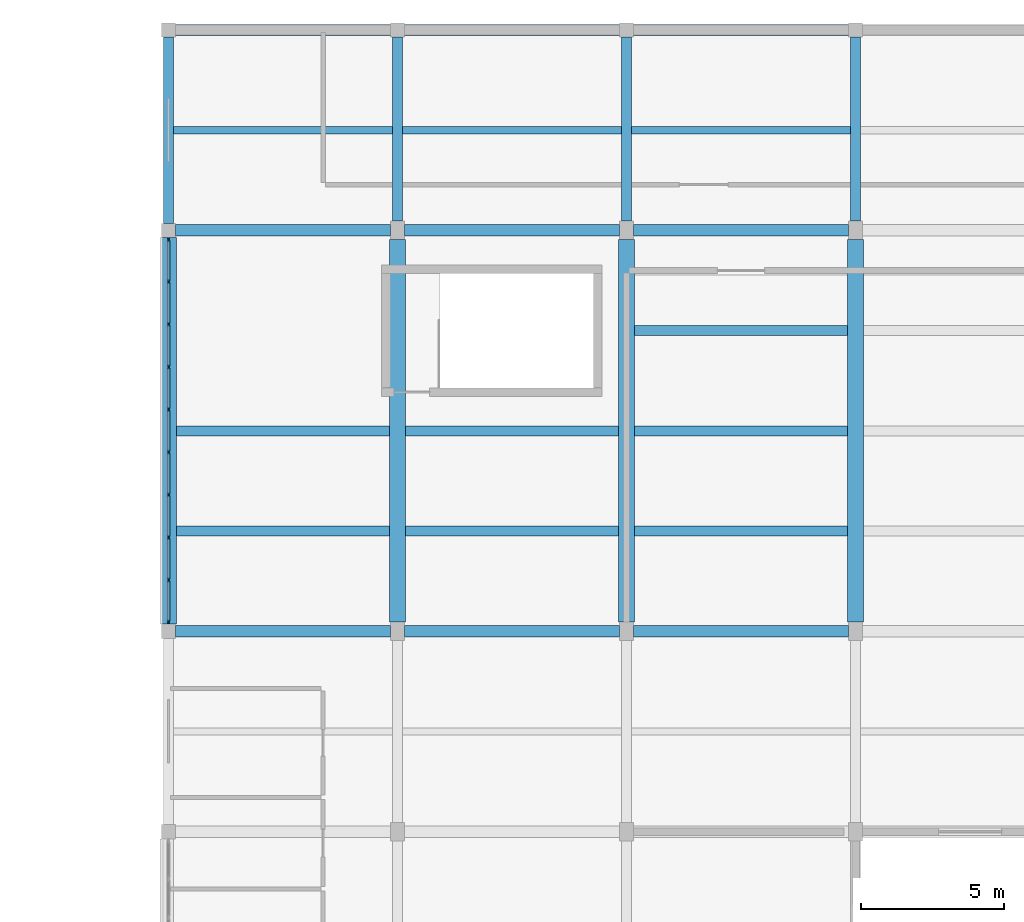
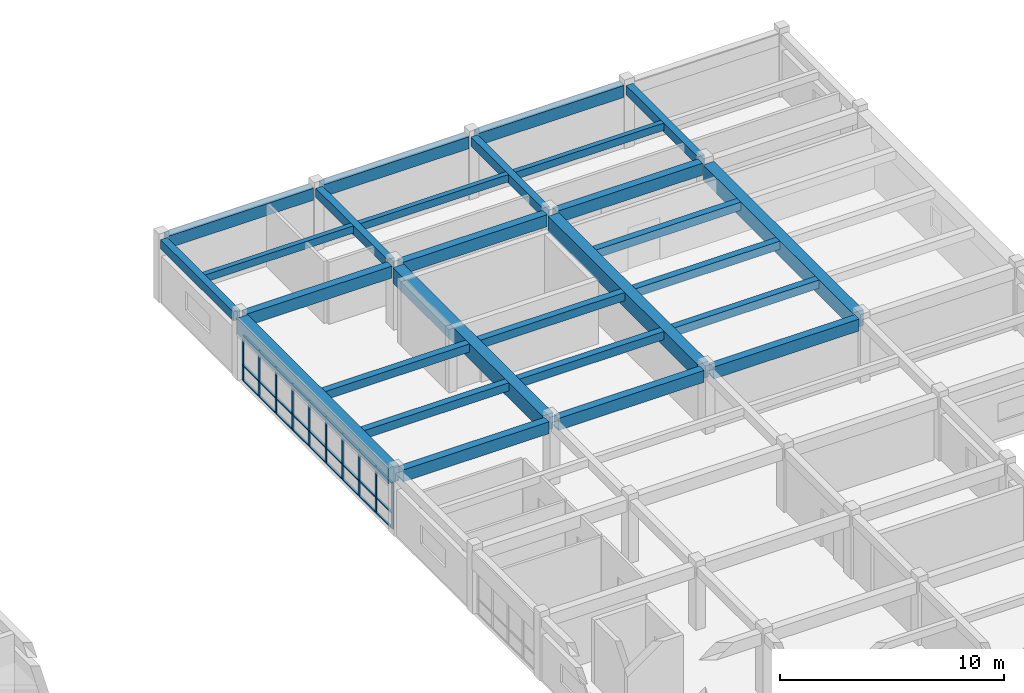
# One storey, part 7 of 17: 37 members, 27 beams, 1 element without a shape of its own.
"""IFC4 building model written with IfcOpenShell, lengths in metres."""

import ifcopenshell
import ifcopenshell.guid

model = None  # the IFC model being written
_history = None  # IfcOwnerHistory: only IFC2X3 demands one
_inside = {}  # id of a spatial element -> (the spatial element, [elements in it])
_under = {}  # id of a project, library or spatial element -> (it, [spatial elements below it])
_declared = {}  # id of a project -> (the project, [libraries it declares])
_typed = {}  # id of a type object -> (the type object, [elements of that type])
_made_of = {}  # id of a material, layer set ... -> (it, [elements and type objects made of it])


def new_model(schema):
    """Start an empty IFC model of exactly this schema.

    Asked for "IFC4X3", IfcOpenShell would pick the latest addendum, in which some entities
    have other attributes; the version numbers below select the first issue.
    IFC2X3 requires an IfcOwnerHistory on every rooted entity: one is made here for all.
    """
    global model, _history
    if schema == "IFC4X3":
        model = ifcopenshell.file(schema_version=(4, 3, 0, 0))
    else:
        model = ifcopenshell.file(schema=schema)
    _inside.clear()
    _under.clear()
    _declared.clear()
    _typed.clear()
    _made_of.clear()
    _history = None
    if model.schema == "IFC2X3":
        org = make("IfcOrganization", Name="unknown")
        user = make(
            "IfcPersonAndOrganization",
            ThePerson=make("IfcPerson", FamilyName="unknown"),
            TheOrganization=org,
        )
        app = make(
            "IfcApplication",
            ApplicationDeveloper=org,
            Version="unknown",
            ApplicationFullName="unknown",
            ApplicationIdentifier="unknown",
        )
        _history = make(
            "IfcOwnerHistory",
            OwningUser=user,
            OwningApplication=app,
            ChangeAction="ADDED",
            CreationDate=0,
        )
    return model


def make(cls, **values):
    """One entity of the class cls with the attributes given. An attribute that is None is left unset."""
    return model.create_entity(
        cls, **{name: value for name, value in values.items() if value is not None}
    )


def rooted(cls, **values):
    """An entity with a GlobalId (a new one), such as an element, a storey or a relation."""
    return make(cls, GlobalId=ifcopenshell.guid.new(), OwnerHistory=_history, **values)


def si_unit(unit_type, name, prefix=None):
    """IfcSIUnit, for example si_unit("LENGTHUNIT", "METRE", prefix="MILLI")."""
    return make("IfcSIUnit", UnitType=unit_type, Prefix=prefix, Name=name)


def assignment(units):
    """IfcUnitAssignment: the units of a project."""
    return None if units is None else make("IfcUnitAssignment", Units=units)


def point(xyz):
    """IfcCartesianPoint."""
    return None if xyz is None else make("IfcCartesianPoint", Coordinates=xyz)


def direction(xyz):
    """IfcDirection."""
    return None if xyz is None else make("IfcDirection", DirectionRatios=xyz)


def frame(location, z_axis=None, x_axis=None):
    """IfcAxis2Placement3D, a coordinate frame: its origin and axes. An axis left out is left unset."""
    return make(
        "IfcAxis2Placement3D",
        Location=point(location),
        Axis=direction(z_axis),
        RefDirection=direction(x_axis),
    )


def frame_2d(location, x_axis=None):
    """IfcAxis2Placement2D, a coordinate frame in the plane: its origin and x axis."""
    return make(
        "IfcAxis2Placement2D", Location=point(location), RefDirection=direction(x_axis)
    )


def origin():
    """The frame at (0, 0, 0) with its axes left unset."""
    return frame((0.0, 0.0, 0.0))


def origin_2d():
    """The frame at (0, 0) in the plane with its x axis left unset."""
    return frame_2d((0.0, 0.0))


def place(relative_to, where):
    """IfcLocalPlacement: puts the frame where relative to a parent placement (None: the world)."""
    return make(
        "IfcLocalPlacement", PlacementRelTo=relative_to, RelativePlacement=where
    )


def context(
    kind, dimensions, precision=None, world=None, true_north=None, identifier=None
):
    """IfcGeometricRepresentationContext, for example the 3D "Model" context."""
    return make(
        "IfcGeometricRepresentationContext",
        ContextIdentifier=identifier,
        ContextType=kind,
        CoordinateSpaceDimension=dimensions,
        Precision=precision,
        WorldCoordinateSystem=world,
        TrueNorth=true_north,
    )


def subcontext(parent, identifier, kind, view, scale=None):
    """IfcGeometricRepresentationSubContext, for example "Body" below "Model"."""
    return make(
        "IfcGeometricRepresentationSubContext",
        ContextIdentifier=identifier,
        ContextType=kind,
        ParentContext=parent,
        TargetScale=scale,
        TargetView=view,
    )


def project(units=None, contexts=None):
    """IfcProject with its units and contexts."""
    return rooted(
        "IfcProject",
        Name="project",
        RepresentationContexts=contexts,
        UnitsInContext=assignment(units),
    )


def spatial(cls, under=None, at=None, **own):
    """A site, building, storey or space (cls), placed at a placement, below another one or the project."""
    s = rooted(cls, ObjectPlacement=at, **own)
    if under is not None:
        _under.setdefault(under.id(), (under, []))[1].append(s)
    return s


def profile(cls, at=None, kind="AREA", **sizes):
    """A parametric profile (cls). Its sizes go by their IFC names, for example OverallWidth=200.0."""
    return make(cls, ProfileType=kind, Position=at, **sizes)


def rectangle(**sizes):
    """IfcRectangleProfileDef."""
    return profile("IfcRectangleProfileDef", **sizes)


def extrude(swept, where, along, depth):
    """IfcExtrudedAreaSolid: the profile swept, set in the frame where, extruded along a direction by depth."""
    return make(
        "IfcExtrudedAreaSolid",
        SweptArea=swept,
        Position=where,
        ExtrudedDirection=direction(along),
        Depth=depth,
    )


def shape(context_of_items, identifier, shape_type, items):
    """IfcShapeRepresentation: the items that make up one representation, for example the "Body"."""
    return make(
        "IfcShapeRepresentation",
        ContextOfItems=context_of_items,
        RepresentationIdentifier=identifier,
        RepresentationType=shape_type,
        Items=items,
    )


def material(Name=None, Category=None):
    """IfcMaterial."""
    return make("IfcMaterial", Name=Name, Category=Category)


def layer(
    of_material, thickness, ventilated=None, Name=None, Category=None, Priority=None
):
    """IfcMaterialLayer: one layer of a wall or slab, of a material (None: an air gap)."""
    return make(
        "IfcMaterialLayer",
        Material=of_material,
        LayerThickness=thickness,
        IsVentilated=ventilated,
        Name=Name,
        Category=Category,
        Priority=Priority,
    )


def layer_set(layers, Name=None):
    """IfcMaterialLayerSet."""
    return make("IfcMaterialLayerSet", MaterialLayers=layers, LayerSetName=Name)


def material_profile(
    of_material, cross_section, Name=None, Category=None, Priority=None
):
    """IfcMaterialProfile: a cross section and its material."""
    return make(
        "IfcMaterialProfile",
        Name=Name,
        Material=of_material,
        Profile=cross_section,
        Priority=Priority,
        Category=Category,
    )


def profile_set(profiles, Name=None, composite=None):
    """IfcMaterialProfileSet."""
    return make(
        "IfcMaterialProfileSet",
        Name=Name,
        MaterialProfiles=profiles,
        CompositeProfile=composite,
    )


def made_of(thing, what):
    """Note that an element or type object is made of a material, layer set ...; save() writes the relation."""
    if what is not None:
        _made_of.setdefault(what.id(), (what, []))[1].append(thing)
    return thing


def type_object(cls, material=None, **own):
    """A type object (cls), such as IfcWallType, which elements share."""
    return made_of(rooted(cls, **own), material)


def element(
    cls,
    number,
    at=None,
    inside=None,
    cuts=None,
    type_object=None,
    material=None,
    context=None,
    identifier="Body",
    shape_type=None,
    held_by="IfcProductDefinitionShape",
    body=None,
    shapes=None,
    **own,
):
    """One element of the class cls, such as IfcWall. Its Tag is "e" and its number.

    at: its placement. inside: the storey or other place that contains it. cuts: it is an
    opening in that element (IfcRelVoidsElement). A single representation is given by context,
    identifier, shape_type and body (its items); several are given by shapes. held_by: the class
    of the entity that holds the representations. save() writes the other relations.
    """
    e = rooted(cls, Tag="e%d" % number, ObjectPlacement=at, **own)
    if body is not None:
        shapes = [shape(context, identifier, shape_type, body)]
    if shapes is not None:
        e.Representation = make(held_by, Representations=shapes)
    if inside is not None:
        _inside.setdefault(inside.id(), (inside, []))[1].append(e)
    if cuts is not None:
        rooted(
            "IfcRelVoidsElement", RelatingBuildingElement=cuts, RelatedOpeningElement=e
        )
    if type_object is not None:
        _typed.setdefault(type_object.id(), (type_object, []))[1].append(e)
    return made_of(e, material)


def aggregate(whole, parts):
    """IfcRelAggregates: a whole, such as a stair, and the parts it consists of."""
    return rooted("IfcRelAggregates", RelatingObject=whole, RelatedObjects=parts)


def save(model, path):
    """Write the relations noted so far, then the file.

    IfcRelAggregates (storeys below a building ...), IfcRelContainedInSpatialStructure (elements
    in a storey), IfcRelDefinesByType, IfcRelAssociatesMaterial and IfcRelDeclares: one each for
    every whole, place, type object, material and project.
    """
    for whole, parts in _under.values():
        aggregate(whole, parts)
    for where, things in _inside.values():
        rooted(
            "IfcRelContainedInSpatialStructure",
            RelatedElements=things,
            RelatingStructure=where,
        )
    for kind, things in _typed.values():
        rooted("IfcRelDefinesByType", RelatedObjects=things, RelatingType=kind)
    for what, things in _made_of.values():
        rooted("IfcRelAssociatesMaterial", RelatedObjects=things, RelatingMaterial=what)
    for by, libraries in _declared.values():
        rooted("IfcRelDeclares", RelatingContext=by, RelatedDefinitions=libraries)
    model.write(path)


model = new_model("IFC4")

# Units and contexts
model_context = context("Model", 3, precision=1e-05, world=origin(), true_north=direction((0.0, 1.0)))
body_context = subcontext(model_context, "Body", "Model", "MODEL_VIEW")
ifc_project = project(units=[si_unit("LENGTHUNIT", "METRE"), si_unit("AREAUNIT", "SQUARE_METRE"), si_unit("VOLUMEUNIT", "CUBIC_METRE"), si_unit("PLANEANGLEUNIT", "RADIAN"), si_unit("MASSUNIT", "GRAM", prefix="KILO")], contexts=[model_context])

# Site, building, storey
site_placement = place(None, origin())
site = spatial("IfcSite", under=ifc_project, at=site_placement, CompositionType="ELEMENT")
building_placement = place(site_placement, origin())
building = spatial("IfcBuilding", under=site, at=building_placement, Name="Naurynzar Civic Courthouse", CompositionType="ELEMENT")
storey_placement = place(building_placement, frame((0.0, 0.0, 29.550048828125)))
storey = spatial("IfcBuildingStorey", under=building, at=storey_placement, Name="L08", CompositionType="ELEMENT", Elevation=29.550048828125)

# Beams
ifc_material_1 = material(Name="Concrete C40/50", Category="concrete")
ifc_material_profile_1 = material_profile(ifc_material_1, rectangle(XDim=0.25, YDim=0.39990234375, at=origin_2d()), Name="RCB 250x400")
ifc_profile_set_1 = profile_set([ifc_material_profile_1], Name="Concrete C40/50")
beam_type_1 = type_object("IfcBeamType", Name="BM-JST-250x400", PredefinedType="JOIST", material=ifc_profile_set_1)
for number, where, z_axis, x_axis, name in (
    (1, (130.175048828125, 68.5, 3.22998046875), (1.0, 0.0, 0.0), (0.0, 1.0, 0.0), "V5 secondary rib 2985 L08"),
    (2, (138.175048828125, 68.5, 3.22998046875), (1.0, 0.0, 0.0), (0.0, 1.0, 0.0), "V5 secondary rib 2986 L08"),
    (3, (146.175048828125, 68.5, 3.22998046875), (1.0, 0.0, 0.0), (0.0, 1.0, 0.0), "V5 secondary rib 2987 L08"),
):
    element("IfcBeam", number, at=place(storey_placement, frame(where, z_axis=z_axis, x_axis=x_axis)), inside=storey, type_object=beam_type_1, Name=name, PredefinedType="JOIST", context=body_context, shape_type="SweptSolid", body=[
        extrude(rectangle(XDim=0.25, YDim=0.39990234375, at=origin_2d()), origin(), (0.0, 0.0, 1.0), 7.64990234375),
    ])
ifc_material_2 = material(Name="Concrete C40/50", Category="concrete")
ifc_material_profile_2 = material_profile(ifc_material_2, rectangle(XDim=0.550048828125, YDim=0.85009765625, at=origin_2d()), Name="PTB 550x850")
ifc_profile_set_2 = profile_set([ifc_material_profile_2], Name="Concrete C40/50")
beam_type_2 = type_object("IfcBeamType", Name="BM-PT-550x850", PredefinedType="T_BEAM", material=ifc_profile_set_2)
beam_1_placement = place(storey_placement, frame((130.0, 51.25, 3.0048828125), z_axis=(0.0, 1.0, 0.0), x_axis=(-1.0, 0.0, 0.0)))
element("IfcBeam", 4, at=beam_1_placement, inside=storey, type_object=beam_type_2, Name="V5 girder Y-2940 L08", PredefinedType="T_BEAM", context=body_context, shape_type="SweptSolid", body=[
    extrude(rectangle(XDim=0.550048828125, YDim=0.85009765625, at=origin_2d()), origin(), (0.0, 0.0, 1.0), 13.5),
])
for number, where, z_axis, x_axis, name in (
    (5, (138.0, 51.324951171875, 3.0048828125), (0.0, 1.0, 0.0), (-1.0, 0.0, 0.0), "V5 girder Y-2947 L08"),
    (6, (146.0, 51.324951171875, 3.0048828125), (0.0, 1.0, 0.0), (-1.0, 0.0, 0.0), "V5 girder Y-2954 L08"),
    (7, (154.0, 51.324951171875, 3.0048828125), (0.0, 1.0, 0.0), (-1.0, 0.0, 0.0), "V5 girder Y-2961 L08"),
):
    element("IfcBeam", number, at=place(storey_placement, frame(where, z_axis=z_axis, x_axis=x_axis)), inside=storey, type_object=beam_type_2, Name=name, PredefinedType="T_BEAM", context=body_context, shape_type="SweptSolid", body=[
        extrude(rectangle(XDim=0.550048828125, YDim=0.85009765625, at=origin_2d()), origin(), (0.0, 0.0, 1.0), 13.35009765625),
    ])
ifc_material_3 = material(Name="Concrete C40/50", Category="concrete")
ifc_material_profile_3 = material_profile(ifc_material_3, rectangle(XDim=0.35009765625, YDim=0.449951171875, at=origin_2d()), Name="RCB 350x450")
ifc_profile_set_3 = profile_set([ifc_material_profile_3], Name="Concrete C40/50")
beam_type_3 = type_object("IfcBeamType", Name="BM-RC-350x450", PredefinedType="BEAM", material=ifc_profile_set_3)
for number, where, z_axis, x_axis, name in (
    (8, (130.27490234375, 54.5, 3.204833984375), (1.0, 0.0, 0.0), (0.0, 1.0, 0.0), "V5 secondary rib 2975 L08"),
    (9, (130.27490234375, 58.0, 3.204833984375), (1.0, 0.0, 0.0), (0.0, 1.0, 0.0), "V5 secondary rib 2976 L08"),
    (10, (138.27490234375, 54.5, 3.204833984375), (1.0, 0.0, 0.0), (0.0, 1.0, 0.0), "V5 secondary rib 2977 L08"),
    (11, (138.27490234375, 58.0, 3.204833984375), (1.0, 0.0, 0.0), (0.0, 1.0, 0.0), "V5 secondary rib 2978 L08"),
    (12, (146.27490234375, 54.5, 3.204833984375), (1.0, 0.0, 0.0), (0.0, 1.0, 0.0), "V5 secondary rib 2979 L08"),
    (13, (146.27490234375, 58.0, 3.204833984375), (1.0, 0.0, 0.0), (0.0, 1.0, 0.0), "V5 secondary rib 2980 L08"),
    (14, (146.27490234375, 61.5, 3.204833984375), (1.0, 0.0, 0.0), (0.0, 1.0, 0.0), "V5 secondary rib 2981 L08"),
):
    element("IfcBeam", number, at=place(storey_placement, frame(where, z_axis=z_axis, x_axis=x_axis)), inside=storey, type_object=beam_type_3, Name=name, PredefinedType="BEAM", context=body_context, shape_type="SweptSolid", body=[
        extrude(rectangle(XDim=0.35009765625, YDim=0.449951171875, at=origin_2d()), origin(), (0.0, 0.0, 1.0), 7.4501953125),
    ])
ifc_material_4 = material(Name="Concrete C40/50", Category="concrete")
ifc_material_profile_4 = material_profile(ifc_material_4, rectangle(XDim=0.35009765625, YDim=0.5, at=origin_2d()), Name="RCB 350x500")
ifc_profile_set_4 = profile_set([ifc_material_profile_4], Name="Concrete C40/50")
beam_type_4 = type_object("IfcBeamType", Name="BM-RC-350x500", PredefinedType="BEAM", material=ifc_profile_set_4)
beam_2_placement = place(storey_placement, frame((130.0, 65.25, 3.179931640625), z_axis=(0.0, 1.0, 0.0), x_axis=(-1.0, 0.0, 0.0)))
element("IfcBeam", 15, at=beam_2_placement, inside=storey, type_object=beam_type_4, Name="V5 girder Y-2941 L08", PredefinedType="BEAM", context=body_context, shape_type="SweptSolid", body=[
    extrude(rectangle(XDim=0.35009765625, YDim=0.5, at=origin_2d()), origin(), (0.0, 0.0, 1.0), 6.5),
])
for number, where, z_axis, x_axis, name in (
    (16, (138.0, 65.324951171875, 3.179931640625), (0.0, 1.0, 0.0), (-1.0, 0.0, 0.0), "V5 girder Y-2948 L08"),
    (17, (146.0, 65.324951171875, 3.179931640625), (0.0, 1.0, 0.0), (-1.0, 0.0, 0.0), "V5 girder Y-2955 L08"),
    (18, (154.0, 65.324951171875, 3.179931640625), (0.0, 1.0, 0.0), (-1.0, 0.0, 0.0), "V5 girder Y-2962 L08"),
):
    element("IfcBeam", number, at=place(storey_placement, frame(where, z_axis=z_axis, x_axis=x_axis)), inside=storey, type_object=beam_type_4, Name=name, PredefinedType="BEAM", context=body_context, shape_type="SweptSolid", body=[
        extrude(rectangle(XDim=0.35009765625, YDim=0.5, at=origin_2d()), origin(), (0.0, 0.0, 1.0), 6.425048828125),
    ])
ifc_material_5 = material(Name="Concrete C40/50", Category="concrete")
ifc_material_profile_5 = material_profile(ifc_material_5, rectangle(XDim=0.39990234375, YDim=0.64990234375, at=origin_2d()), Name="RCB 400x650")
ifc_profile_set_5 = profile_set([ifc_material_profile_5], Name="Concrete C40/50")
beam_type_5 = type_object("IfcBeamType", Name="BM-RC-400x650", PredefinedType="BEAM", material=ifc_profile_set_5)
for number, where, z_axis, x_axis, name in (
    (19, (130.25, 51.0, 3.10498046875), (1.0, 0.0, 0.0), (0.0, 1.0, 0.0), "V5 beam X-2923 L08"),
    (20, (138.25, 51.0, 3.10498046875), (1.0, 0.0, 0.0), (0.0, 1.0, 0.0), "V5 beam X-2924 L08"),
    (21, (146.25, 51.0, 3.10498046875), (1.0, 0.0, 0.0), (0.0, 1.0, 0.0), "V5 beam X-2925 L08"),
    (22, (130.25, 65.0, 3.10498046875), (1.0, 0.0, 0.0), (0.0, 1.0, 0.0), "V5 beam X-2927 L08"),
    (23, (138.25, 65.0, 3.10498046875), (1.0, 0.0, 0.0), (0.0, 1.0, 0.0), "V5 beam X-2928 L08"),
    (24, (146.25, 65.0, 3.10498046875), (1.0, 0.0, 0.0), (0.0, 1.0, 0.0), "V5 beam X-2929 L08"),
    (25, (130.25, 72.0, 3.10498046875), (1.0, 0.0, 0.0), (0.0, 1.0, 0.0), "V5 beam X-2931 L08"),
    (26, (138.25, 72.0, 3.10498046875), (1.0, 0.0, 0.0), (0.0, 1.0, 0.0), "V5 beam X-2932 L08"),
    (27, (146.25, 72.0, 3.10498046875), (1.0, 0.0, 0.0), (0.0, 1.0, 0.0), "V5 beam X-2933 L08"),
):
    element("IfcBeam", number, at=place(storey_placement, frame(where, z_axis=z_axis, x_axis=x_axis)), inside=storey, type_object=beam_type_5, Name=name, PredefinedType="BEAM", context=body_context, shape_type="SweptSolid", body=[
        extrude(rectangle(XDim=0.39990234375, YDim=0.64990234375, at=origin_2d()), origin(), (0.0, 0.0, 1.0), 7.5),
    ])

# Curtain wall, members
ifc_material_6 = material(Name="Aluminium 6063-T6", Category="aluminium")
ifc_layer = layer(ifc_material_6, 0.179931640625)
ifc_layer_set = layer_set([ifc_layer], Name="CW-UNIT-1500")
curtain_wall_type = type_object("IfcCurtainWallType", Name="CW-UNIT-1500", PredefinedType="NOTDEFINED", material=ifc_layer_set)
curtain_wall_placement = place(storey_placement, origin())
curtain_wall = element("IfcCurtainWall", 28, at=curtain_wall_placement, inside=storey, type_object=curtain_wall_type, Name="V5 unitised curtain wall 119 L08", PredefinedType="NOTDEFINED")
ifc_material_7 = material(Name="Aluminium 6063-T6", Category="aluminium")
ifc_material_profile_6 = material_profile(ifc_material_7, rectangle(XDim=0.06005859375, YDim=0.14990234375, at=origin_2d()), Name="ALU MULLION 60x150")
ifc_profile_set_6 = profile_set([ifc_material_profile_6], Name="Aluminium 6063-T6")
member_type_1 = type_object("IfcMemberType", Name="CWM-60x150", PredefinedType="MULLION", material=ifc_profile_set_6)
member_1_placement = place(storey_placement, frame((130.0, 51.330078125, 0.0), z_axis=(0.0, 0.0, 1.0), x_axis=(-1.0, 0.0, 0.0)))
member_1 = element("IfcMember", 29, at=member_1_placement, type_object=member_type_1, Name="CW-01 mullion 1", PredefinedType="MULLION", context=body_context, shape_type="SweptSolid", body=[
    extrude(rectangle(XDim=0.06005859375, YDim=0.14990234375, at=origin_2d()), origin(), (0.0, 0.0, 1.0), 2.510009765625),
])
member_2_placement = place(storey_placement, frame((130.0, 52.788818359375, 0.0), z_axis=(0.0, 0.0, 1.0), x_axis=(-1.0, 0.0, 0.0)))
member_2 = element("IfcMember", 30, at=member_2_placement, type_object=member_type_1, Name="CW-01 mullion 2", PredefinedType="MULLION", context=body_context, shape_type="SweptSolid", body=[
    extrude(rectangle(XDim=0.06005859375, YDim=0.14990234375, at=origin_2d()), origin(), (0.0, 0.0, 1.0), 2.510009765625),
])
member_3_placement = place(storey_placement, frame((130.0, 54.27783203125, 0.0), z_axis=(0.0, 0.0, 1.0), x_axis=(-1.0, 0.0, 0.0)))
member_3 = element("IfcMember", 31, at=member_3_placement, type_object=member_type_1, Name="CW-01 mullion 3", PredefinedType="MULLION", context=body_context, shape_type="SweptSolid", body=[
    extrude(rectangle(XDim=0.06005859375, YDim=0.14990234375, at=origin_2d()), origin(), (0.0, 0.0, 1.0), 2.510009765625),
])
member_4_placement = place(storey_placement, frame((130.0, 55.7666015625, 0.0), z_axis=(0.0, 0.0, 1.0), x_axis=(-1.0, 0.0, 0.0)))
member_4 = element("IfcMember", 32, at=member_4_placement, type_object=member_type_1, Name="CW-01 mullion 4", PredefinedType="MULLION", context=body_context, shape_type="SweptSolid", body=[
    extrude(rectangle(XDim=0.06005859375, YDim=0.14990234375, at=origin_2d()), origin(), (0.0, 0.0, 1.0), 2.510009765625),
])
member_5_placement = place(storey_placement, frame((130.0, 57.255615234375, 0.0), z_axis=(0.0, 0.0, 1.0), x_axis=(-1.0, 0.0, 0.0)))
member_5 = element("IfcMember", 33, at=member_5_placement, type_object=member_type_1, Name="CW-01 mullion 5", PredefinedType="MULLION", context=body_context, shape_type="SweptSolid", body=[
    extrude(rectangle(XDim=0.06005859375, YDim=0.14990234375, at=origin_2d()), origin(), (0.0, 0.0, 1.0), 2.510009765625),
])
member_6_placement = place(storey_placement, frame((130.0, 58.744384765625, 0.0), z_axis=(0.0, 0.0, 1.0), x_axis=(-1.0, 0.0, 0.0)))
member_6 = element("IfcMember", 34, at=member_6_placement, type_object=member_type_1, Name="CW-01 mullion 6", PredefinedType="MULLION", context=body_context, shape_type="SweptSolid", body=[
    extrude(rectangle(XDim=0.06005859375, YDim=0.14990234375, at=origin_2d()), origin(), (0.0, 0.0, 1.0), 2.510009765625),
])
member_7_placement = place(storey_placement, frame((130.0, 60.2333984375, 0.0), z_axis=(0.0, 0.0, 1.0), x_axis=(-1.0, 0.0, 0.0)))
member_7 = element("IfcMember", 35, at=member_7_placement, type_object=member_type_1, Name="CW-01 mullion 7", PredefinedType="MULLION", context=body_context, shape_type="SweptSolid", body=[
    extrude(rectangle(XDim=0.06005859375, YDim=0.14990234375, at=origin_2d()), origin(), (0.0, 0.0, 1.0), 2.510009765625),
])
member_8_placement = place(storey_placement, frame((130.0, 61.72216796875, 0.0), z_axis=(0.0, 0.0, 1.0), x_axis=(-1.0, 0.0, 0.0)))
member_8 = element("IfcMember", 36, at=member_8_placement, type_object=member_type_1, Name="CW-01 mullion 8", PredefinedType="MULLION", context=body_context, shape_type="SweptSolid", body=[
    extrude(rectangle(XDim=0.06005859375, YDim=0.14990234375, at=origin_2d()), origin(), (0.0, 0.0, 1.0), 2.510009765625),
])
member_9_placement = place(storey_placement, frame((130.0, 63.211181640625, 0.0), z_axis=(0.0, 0.0, 1.0), x_axis=(-1.0, 0.0, 0.0)))
member_9 = element("IfcMember", 37, at=member_9_placement, type_object=member_type_1, Name="CW-01 mullion 9", PredefinedType="MULLION", context=body_context, shape_type="SweptSolid", body=[
    extrude(rectangle(XDim=0.06005859375, YDim=0.14990234375, at=origin_2d()), origin(), (0.0, 0.0, 1.0), 2.510009765625),
])
member_10_placement = place(storey_placement, frame((130.0, 64.669921875, 0.0), z_axis=(0.0, 0.0, 1.0), x_axis=(-1.0, 0.0, 0.0)))
member_10 = element("IfcMember", 38, at=member_10_placement, type_object=member_type_1, Name="CW-01 mullion 10", PredefinedType="MULLION", context=body_context, shape_type="SweptSolid", body=[
    extrude(rectangle(XDim=0.06005859375, YDim=0.14990234375, at=origin_2d()), origin(), (0.0, 0.0, 1.0), 2.510009765625),
])
ifc_material_8 = material(Name="Aluminium 6063-T6", Category="aluminium")
ifc_material_profile_7 = material_profile(ifc_material_8, rectangle(XDim=0.110107421875, YDim=0.06005859375, at=origin_2d()), Name="ALU TRANSOM 60x110")
ifc_profile_set_7 = profile_set([ifc_material_profile_7], Name="Aluminium 6063-T6")
member_type_2 = type_object("IfcMemberType", Name="CWT-60x110", PredefinedType="USERDEFINED", material=ifc_profile_set_7)
member_11_placement = place(storey_placement, frame((130.0, 51.360107421875, 0.030029296875), z_axis=(0.0, 1.0, 0.0), x_axis=(-1.0, 0.0, 0.0)))
member_11 = element("IfcMember", 39, at=member_11_placement, type_object=member_type_2, Name="CW-01 transom 1.1", ObjectType="TRANSOM", PredefinedType="USERDEFINED", context=body_context, shape_type="SweptSolid", body=[
    extrude(rectangle(XDim=0.110107421875, YDim=0.06005859375, at=origin_2d()), origin(), (0.0, 0.0, 1.0), 1.398681640625),
])
member_12_placement = place(storey_placement, frame((130.0, 51.360107421875, 0.849853515625), z_axis=(0.0, 1.0, 0.0), x_axis=(-1.0, 0.0, 0.0)))
member_12 = element("IfcMember", 40, at=member_12_placement, type_object=member_type_2, Name="CW-01 transom 1.2", ObjectType="TRANSOM", PredefinedType="USERDEFINED", context=body_context, shape_type="SweptSolid", body=[
    extrude(rectangle(XDim=0.110107421875, YDim=0.06005859375, at=origin_2d()), origin(), (0.0, 0.0, 1.0), 1.398681640625),
])
member_13_placement = place(storey_placement, frame((130.0, 51.360107421875, 2.47998046875), z_axis=(0.0, 1.0, 0.0), x_axis=(-1.0, 0.0, 0.0)))
member_13 = element("IfcMember", 41, at=member_13_placement, type_object=member_type_2, Name="CW-01 transom 1.3", ObjectType="TRANSOM", PredefinedType="USERDEFINED", context=body_context, shape_type="SweptSolid", body=[
    extrude(rectangle(XDim=0.110107421875, YDim=0.06005859375, at=origin_2d()), origin(), (0.0, 0.0, 1.0), 1.398681640625),
])
member_14_placement = place(storey_placement, frame((130.0, 52.81884765625, 0.030029296875), z_axis=(0.0, 1.0, 0.0), x_axis=(-1.0, 0.0, 0.0)))
member_14 = element("IfcMember", 42, at=member_14_placement, type_object=member_type_2, Name="CW-01 transom 2.1", ObjectType="TRANSOM", PredefinedType="USERDEFINED", context=body_context, shape_type="SweptSolid", body=[
    extrude(rectangle(XDim=0.110107421875, YDim=0.06005859375, at=origin_2d()), origin(), (0.0, 0.0, 1.0), 1.428955078125),
])
member_15_placement = place(storey_placement, frame((130.0, 52.81884765625, 0.849853515625), z_axis=(0.0, 1.0, 0.0), x_axis=(-1.0, 0.0, 0.0)))
member_15 = element("IfcMember", 43, at=member_15_placement, type_object=member_type_2, Name="CW-01 transom 2.2", ObjectType="TRANSOM", PredefinedType="USERDEFINED", context=body_context, shape_type="SweptSolid", body=[
    extrude(rectangle(XDim=0.110107421875, YDim=0.06005859375, at=origin_2d()), origin(), (0.0, 0.0, 1.0), 1.428955078125),
])
member_16_placement = place(storey_placement, frame((130.0, 52.81884765625, 2.47998046875), z_axis=(0.0, 1.0, 0.0), x_axis=(-1.0, 0.0, 0.0)))
member_16 = element("IfcMember", 44, at=member_16_placement, type_object=member_type_2, Name="CW-01 transom 2.3", ObjectType="TRANSOM", PredefinedType="USERDEFINED", context=body_context, shape_type="SweptSolid", body=[
    extrude(rectangle(XDim=0.110107421875, YDim=0.06005859375, at=origin_2d()), origin(), (0.0, 0.0, 1.0), 1.428955078125),
])
member_17_placement = place(storey_placement, frame((130.0, 54.307861328125, 0.030029296875), z_axis=(0.0, 1.0, 0.0), x_axis=(-1.0, 0.0, 0.0)))
member_17 = element("IfcMember", 45, at=member_17_placement, type_object=member_type_2, Name="CW-01 transom 3.1", ObjectType="TRANSOM", PredefinedType="USERDEFINED", context=body_context, shape_type="SweptSolid", body=[
    extrude(rectangle(XDim=0.110107421875, YDim=0.06005859375, at=origin_2d()), origin(), (0.0, 0.0, 1.0), 1.4287109375),
])
member_18_placement = place(storey_placement, frame((130.0, 54.307861328125, 0.849853515625), z_axis=(0.0, 1.0, 0.0), x_axis=(-1.0, 0.0, 0.0)))
member_18 = element("IfcMember", 46, at=member_18_placement, type_object=member_type_2, Name="CW-01 transom 3.2", ObjectType="TRANSOM", PredefinedType="USERDEFINED", context=body_context, shape_type="SweptSolid", body=[
    extrude(rectangle(XDim=0.110107421875, YDim=0.06005859375, at=origin_2d()), origin(), (0.0, 0.0, 1.0), 1.4287109375),
])
member_19_placement = place(storey_placement, frame((130.0, 54.307861328125, 2.47998046875), z_axis=(0.0, 1.0, 0.0), x_axis=(-1.0, 0.0, 0.0)))
member_19 = element("IfcMember", 47, at=member_19_placement, type_object=member_type_2, Name="CW-01 transom 3.3", ObjectType="TRANSOM", PredefinedType="USERDEFINED", context=body_context, shape_type="SweptSolid", body=[
    extrude(rectangle(XDim=0.110107421875, YDim=0.06005859375, at=origin_2d()), origin(), (0.0, 0.0, 1.0), 1.4287109375),
])
member_20_placement = place(storey_placement, frame((130.0, 55.796630859375, 0.030029296875), z_axis=(0.0, 1.0, 0.0), x_axis=(-1.0, 0.0, 0.0)))
member_20 = element("IfcMember", 48, at=member_20_placement, type_object=member_type_2, Name="CW-01 transom 4.1", ObjectType="TRANSOM", PredefinedType="USERDEFINED", context=body_context, shape_type="SweptSolid", body=[
    extrude(rectangle(XDim=0.110107421875, YDim=0.06005859375, at=origin_2d()), origin(), (0.0, 0.0, 1.0), 1.428955078125),
])
member_21_placement = place(storey_placement, frame((130.0, 55.796630859375, 0.849853515625), z_axis=(0.0, 1.0, 0.0), x_axis=(-1.0, 0.0, 0.0)))
member_21 = element("IfcMember", 49, at=member_21_placement, type_object=member_type_2, Name="CW-01 transom 4.2", ObjectType="TRANSOM", PredefinedType="USERDEFINED", context=body_context, shape_type="SweptSolid", body=[
    extrude(rectangle(XDim=0.110107421875, YDim=0.06005859375, at=origin_2d()), origin(), (0.0, 0.0, 1.0), 1.428955078125),
])
member_22_placement = place(storey_placement, frame((130.0, 55.796630859375, 2.47998046875), z_axis=(0.0, 1.0, 0.0), x_axis=(-1.0, 0.0, 0.0)))
member_22 = element("IfcMember", 50, at=member_22_placement, type_object=member_type_2, Name="CW-01 transom 4.3", ObjectType="TRANSOM", PredefinedType="USERDEFINED", context=body_context, shape_type="SweptSolid", body=[
    extrude(rectangle(XDim=0.110107421875, YDim=0.06005859375, at=origin_2d()), origin(), (0.0, 0.0, 1.0), 1.428955078125),
])
member_23_placement = place(storey_placement, frame((130.0, 57.28564453125, 0.030029296875), z_axis=(0.0, 1.0, 0.0), x_axis=(-1.0, 0.0, 0.0)))
member_23 = element("IfcMember", 51, at=member_23_placement, type_object=member_type_2, Name="CW-01 transom 5.1", ObjectType="TRANSOM", PredefinedType="USERDEFINED", context=body_context, shape_type="SweptSolid", body=[
    extrude(rectangle(XDim=0.110107421875, YDim=0.06005859375, at=origin_2d()), origin(), (0.0, 0.0, 1.0), 1.4287109375),
])
member_24_placement = place(storey_placement, frame((130.0, 57.28564453125, 0.849853515625), z_axis=(0.0, 1.0, 0.0), x_axis=(-1.0, 0.0, 0.0)))
member_24 = element("IfcMember", 52, at=member_24_placement, type_object=member_type_2, Name="CW-01 transom 5.2", ObjectType="TRANSOM", PredefinedType="USERDEFINED", context=body_context, shape_type="SweptSolid", body=[
    extrude(rectangle(XDim=0.110107421875, YDim=0.06005859375, at=origin_2d()), origin(), (0.0, 0.0, 1.0), 1.4287109375),
])
member_25_placement = place(storey_placement, frame((130.0, 57.28564453125, 2.47998046875), z_axis=(0.0, 1.0, 0.0), x_axis=(-1.0, 0.0, 0.0)))
member_25 = element("IfcMember", 53, at=member_25_placement, type_object=member_type_2, Name="CW-01 transom 5.3", ObjectType="TRANSOM", PredefinedType="USERDEFINED", context=body_context, shape_type="SweptSolid", body=[
    extrude(rectangle(XDim=0.110107421875, YDim=0.06005859375, at=origin_2d()), origin(), (0.0, 0.0, 1.0), 1.4287109375),
])
member_26_placement = place(storey_placement, frame((130.0, 58.7744140625, 0.030029296875), z_axis=(0.0, 1.0, 0.0), x_axis=(-1.0, 0.0, 0.0)))
member_26 = element("IfcMember", 54, at=member_26_placement, type_object=member_type_2, Name="CW-01 transom 6.1", ObjectType="TRANSOM", PredefinedType="USERDEFINED", context=body_context, shape_type="SweptSolid", body=[
    extrude(rectangle(XDim=0.110107421875, YDim=0.06005859375, at=origin_2d()), origin(), (0.0, 0.0, 1.0), 1.428955078125),
])
member_27_placement = place(storey_placement, frame((130.0, 58.7744140625, 0.849853515625), z_axis=(0.0, 1.0, 0.0), x_axis=(-1.0, 0.0, 0.0)))
member_27 = element("IfcMember", 55, at=member_27_placement, type_object=member_type_2, Name="CW-01 transom 6.2", ObjectType="TRANSOM", PredefinedType="USERDEFINED", context=body_context, shape_type="SweptSolid", body=[
    extrude(rectangle(XDim=0.110107421875, YDim=0.06005859375, at=origin_2d()), origin(), (0.0, 0.0, 1.0), 1.428955078125),
])
member_28_placement = place(storey_placement, frame((130.0, 58.7744140625, 2.47998046875), z_axis=(0.0, 1.0, 0.0), x_axis=(-1.0, 0.0, 0.0)))
member_28 = element("IfcMember", 56, at=member_28_placement, type_object=member_type_2, Name="CW-01 transom 6.3", ObjectType="TRANSOM", PredefinedType="USERDEFINED", context=body_context, shape_type="SweptSolid", body=[
    extrude(rectangle(XDim=0.110107421875, YDim=0.06005859375, at=origin_2d()), origin(), (0.0, 0.0, 1.0), 1.428955078125),
])
member_29_placement = place(storey_placement, frame((130.0, 60.263427734375, 0.030029296875), z_axis=(0.0, 1.0, 0.0), x_axis=(-1.0, 0.0, 0.0)))
member_29 = element("IfcMember", 57, at=member_29_placement, type_object=member_type_2, Name="CW-01 transom 7.1", ObjectType="TRANSOM", PredefinedType="USERDEFINED", context=body_context, shape_type="SweptSolid", body=[
    extrude(rectangle(XDim=0.110107421875, YDim=0.06005859375, at=origin_2d()), origin(), (0.0, 0.0, 1.0), 1.4287109375),
])
member_30_placement = place(storey_placement, frame((130.0, 60.263427734375, 0.849853515625), z_axis=(0.0, 1.0, 0.0), x_axis=(-1.0, 0.0, 0.0)))
member_30 = element("IfcMember", 58, at=member_30_placement, type_object=member_type_2, Name="CW-01 transom 7.2", ObjectType="TRANSOM", PredefinedType="USERDEFINED", context=body_context, shape_type="SweptSolid", body=[
    extrude(rectangle(XDim=0.110107421875, YDim=0.06005859375, at=origin_2d()), origin(), (0.0, 0.0, 1.0), 1.4287109375),
])
member_31_placement = place(storey_placement, frame((130.0, 60.263427734375, 2.47998046875), z_axis=(0.0, 1.0, 0.0), x_axis=(-1.0, 0.0, 0.0)))
member_31 = element("IfcMember", 59, at=member_31_placement, type_object=member_type_2, Name="CW-01 transom 7.3", ObjectType="TRANSOM", PredefinedType="USERDEFINED", context=body_context, shape_type="SweptSolid", body=[
    extrude(rectangle(XDim=0.110107421875, YDim=0.06005859375, at=origin_2d()), origin(), (0.0, 0.0, 1.0), 1.4287109375),
])
member_32_placement = place(storey_placement, frame((130.0, 61.752197265625, 0.030029296875), z_axis=(0.0, 1.0, 0.0), x_axis=(-1.0, 0.0, 0.0)))
member_32 = element("IfcMember", 60, at=member_32_placement, type_object=member_type_2, Name="CW-01 transom 8.1", ObjectType="TRANSOM", PredefinedType="USERDEFINED", context=body_context, shape_type="SweptSolid", body=[
    extrude(rectangle(XDim=0.110107421875, YDim=0.06005859375, at=origin_2d()), origin(), (0.0, 0.0, 1.0), 1.428955078125),
])
member_33_placement = place(storey_placement, frame((130.0, 61.752197265625, 0.849853515625), z_axis=(0.0, 1.0, 0.0), x_axis=(-1.0, 0.0, 0.0)))
member_33 = element("IfcMember", 61, at=member_33_placement, type_object=member_type_2, Name="CW-01 transom 8.2", ObjectType="TRANSOM", PredefinedType="USERDEFINED", context=body_context, shape_type="SweptSolid", body=[
    extrude(rectangle(XDim=0.110107421875, YDim=0.06005859375, at=origin_2d()), origin(), (0.0, 0.0, 1.0), 1.428955078125),
])
member_34_placement = place(storey_placement, frame((130.0, 61.752197265625, 2.47998046875), z_axis=(0.0, 1.0, 0.0), x_axis=(-1.0, 0.0, 0.0)))
member_34 = element("IfcMember", 62, at=member_34_placement, type_object=member_type_2, Name="CW-01 transom 8.3", ObjectType="TRANSOM", PredefinedType="USERDEFINED", context=body_context, shape_type="SweptSolid", body=[
    extrude(rectangle(XDim=0.110107421875, YDim=0.06005859375, at=origin_2d()), origin(), (0.0, 0.0, 1.0), 1.428955078125),
])
member_35_placement = place(storey_placement, frame((130.0, 63.2412109375, 0.030029296875), z_axis=(0.0, 1.0, 0.0), x_axis=(-1.0, 0.0, 0.0)))
member_35 = element("IfcMember", 63, at=member_35_placement, type_object=member_type_2, Name="CW-01 transom 9.1", ObjectType="TRANSOM", PredefinedType="USERDEFINED", context=body_context, shape_type="SweptSolid", body=[
    extrude(rectangle(XDim=0.110107421875, YDim=0.06005859375, at=origin_2d()), origin(), (0.0, 0.0, 1.0), 1.398681640625),
])
member_36_placement = place(storey_placement, frame((130.0, 63.2412109375, 0.849853515625), z_axis=(0.0, 1.0, 0.0), x_axis=(-1.0, 0.0, 0.0)))
member_36 = element("IfcMember", 64, at=member_36_placement, type_object=member_type_2, Name="CW-01 transom 9.2", ObjectType="TRANSOM", PredefinedType="USERDEFINED", context=body_context, shape_type="SweptSolid", body=[
    extrude(rectangle(XDim=0.110107421875, YDim=0.06005859375, at=origin_2d()), origin(), (0.0, 0.0, 1.0), 1.398681640625),
])
member_37_placement = place(storey_placement, frame((130.0, 63.2412109375, 2.47998046875), z_axis=(0.0, 1.0, 0.0), x_axis=(-1.0, 0.0, 0.0)))
member_37 = element("IfcMember", 65, at=member_37_placement, type_object=member_type_2, Name="CW-01 transom 9.3", ObjectType="TRANSOM", PredefinedType="USERDEFINED", context=body_context, shape_type="SweptSolid", body=[
    extrude(rectangle(XDim=0.110107421875, YDim=0.06005859375, at=origin_2d()), origin(), (0.0, 0.0, 1.0), 1.398681640625),
])
aggregate(curtain_wall, [member_1, member_2, member_3, member_4, member_5, member_6, member_7, member_8, member_9, member_10, member_11, member_12, member_13, member_14, member_15, member_16, member_17, member_18, member_19, member_20, member_21, member_22, member_23, member_24, member_25, member_26, member_27, member_28, member_29, member_30, member_31, member_32, member_33, member_34, member_35, member_36, member_37])

save(model, "model.ifc")
